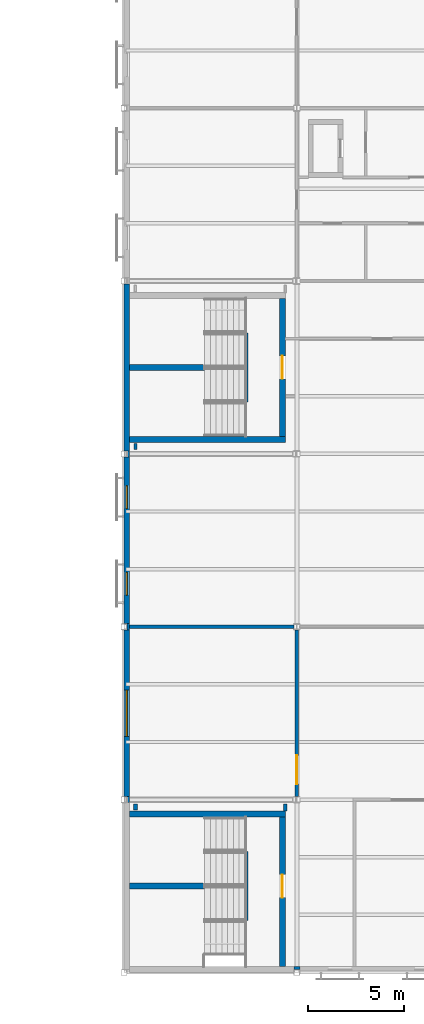
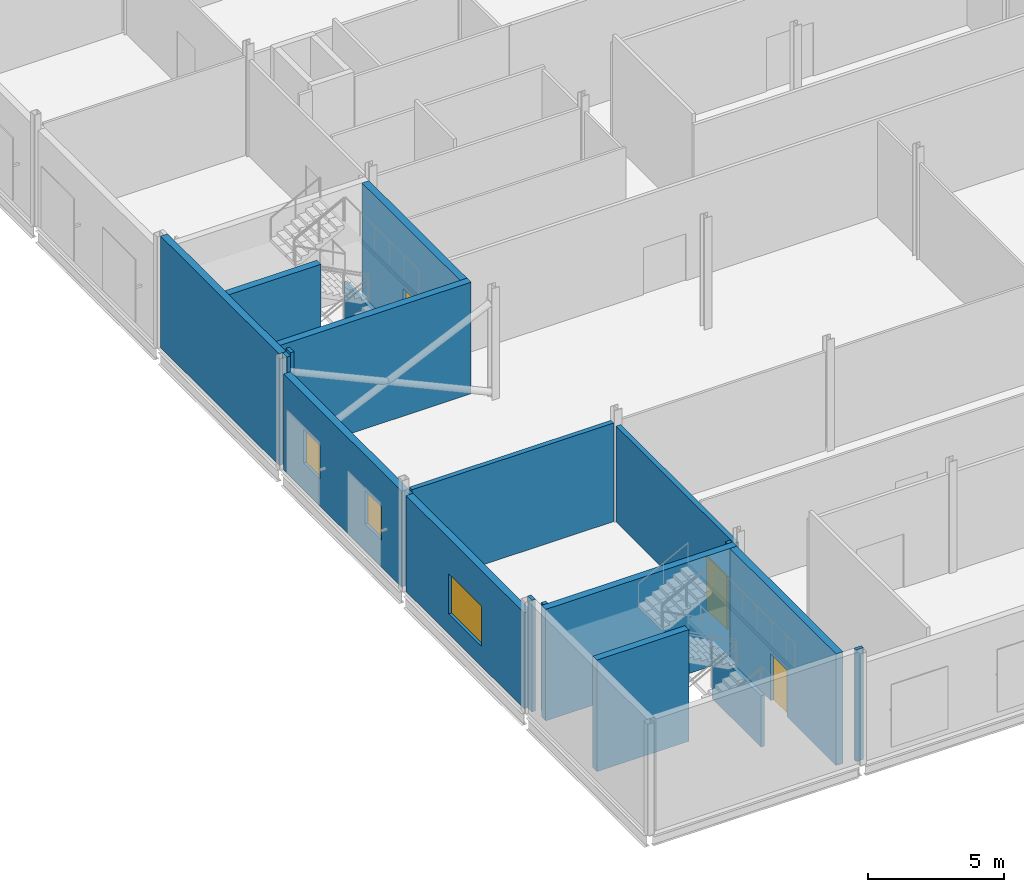
# One storey, part 75 of 112: 20 walls, 3 doors, 3 windows, 6 openings.
"""IFC4 building model written with IfcOpenShell, lengths in metres."""

from ifc_helpers import new_model, si_unit, direction, frame, frame_2d, origin, place, context, subcontext, project, spatial, rectangle, extrude, material, layer, layer_set, type_object, element, fill, save


model = new_model("IFC4")

# Units and contexts
model_context = context("Model", 3, precision=1e-05, world=origin(), true_north=direction((0.0, 1.0)))
body_context = subcontext(model_context, "Body", "Model", "MODEL_VIEW")
ifc_project = project(units=[si_unit("LENGTHUNIT", "METRE"), si_unit("AREAUNIT", "SQUARE_METRE"), si_unit("VOLUMEUNIT", "CUBIC_METRE"), si_unit("PLANEANGLEUNIT", "RADIAN"), si_unit("MASSUNIT", "GRAM", prefix="KILO")], contexts=[model_context])

# Site, building, storey
site_placement = place(None, origin())
site = spatial("IfcSite", under=ifc_project, at=site_placement, CompositionType="ELEMENT")
building_placement = place(site_placement, origin())
building = spatial("IfcBuilding", under=site, at=building_placement, Name="Shorebreak Coast Museum", CompositionType="ELEMENT")
storey_placement = place(building_placement, frame((0.0, 0.0, 6.0)))
storey = spatial("IfcBuildingStorey", under=building, at=storey_placement, Name="L01", CompositionType="ELEMENT", Elevation=6.0)

# Walls
ifc_material_1 = material(Name="Concrete N50 (50 MPa)", Category="concrete")
ifc_layer_1 = layer(ifc_material_1, 0.14990234375)
ifc_layer_set_1 = layer_set([ifc_layer_1], Name="Concrete N50 (50 MPa)")
wall_type_1 = type_object("IfcWallType", Name="Column closure panel 150", PredefinedType="SOLIDWALL", material=ifc_layer_set_1)
for number, where, z_axis, x_axis, name in (
    (1, (62.85009765625, 0.22509765625, 0.0), (0.0, 0.0, 1.0), (1.0, 0.0, 0.0), "Column closure panel L01 S 8A"),
    (2, (54.22509765625, 8.85009765625, 0.0), (0.0, 0.0, 1.0), (0.0, 1.0, 0.0), "Column closure panel L01 W 7B"),
):
    element("IfcWall", number, at=place(storey_placement, frame(where, z_axis=z_axis, x_axis=x_axis)), inside=storey, type_object=wall_type_1, Name=name, PredefinedType="SOLIDWALL", context=body_context, shape_type="SweptSolid", body=[
        extrude(rectangle(XDim=0.322021484375, YDim=0.14990234375, at=frame_2d((0.1611328125, 0.0))), origin(), (0.0, 0.0, 1.0), 5.0),
    ])
wall_1_placement = place(storey_placement, frame((54.22509765625, 17.839111328125, 0.0), z_axis=(0.0, 0.0, 1.0), x_axis=(0.0, 1.0, 0.0)))
element("IfcWall", 3, at=wall_1_placement, inside=storey, type_object=wall_type_1, Name="Column closure panel L01 W 7C", PredefinedType="SOLIDWALL", context=body_context, shape_type="SweptSolid", body=[
    extrude(rectangle(XDim=0.32177734375, YDim=0.14990234375, at=frame_2d((0.160888671875, 0.0))), origin(), (0.0, 0.0, 1.0), 4.296875),
])
wall_2_placement = place(storey_placement, frame((54.22509765625, 26.827880859375, 0.0), z_axis=(0.0, 0.0, 1.0), x_axis=(0.0, 1.0, 0.0)))
element("IfcWall", 4, at=wall_2_placement, inside=storey, type_object=wall_type_1, Name="Column closure panel L01 W 7D", PredefinedType="SOLIDWALL", context=body_context, shape_type="SweptSolid", body=[
    extrude(rectangle(XDim=0.322021484375, YDim=0.14990234375, at=frame_2d((0.1611328125, 0.0))), origin(), (0.0, 0.0, 1.0), 5.0),
])
ifc_material_2 = material(Name="Plasterboard on steel stud", Category="steel")
ifc_layer_2 = layer(ifc_material_2, 0.14990234375)
ifc_layer_set_2 = layer_set([ifc_layer_2], Name="Plasterboard on steel stud")
wall_type_2 = type_object("IfcWallType", Name="Fire partition 150", PredefinedType="PARTITIONING", material=ifc_layer_set_2)
wall_3_placement = place(storey_placement, frame((54.60009765625, 27.219970703125, 0.0), z_axis=(0.0, 0.0, 1.0), x_axis=(0.0, 1.0, 0.0)))
element("IfcWall", 5, at=wall_3_placement, inside=storey, type_object=wall_type_2, Name="Partition L01-099", PredefinedType="PARTITIONING", context=body_context, shape_type="SweptSolid", body=[
    extrude(rectangle(XDim=0.330078125, YDim=0.14990234375, at=frame_2d((0.1650390625, 0.0))), origin(), (0.0, 0.0, 1.0), 4.824951171875),
])
ifc_material_3 = material(Name="Concrete masonry", Category="masonry")
ifc_layer_3 = layer(ifc_material_3, 0.199951171875)
ifc_layer_set_3 = layer_set([ifc_layer_3], Name="Concrete masonry")
wall_type_3 = type_object("IfcWallType", Name="Fire wall 200", PredefinedType="PARTITIONING", material=ifc_layer_set_3)
wall_4_placement = place(storey_placement, frame((54.300048828125, 18.0, 0.0), z_axis=(0.0, 0.0, 1.0), x_axis=(1.0, 0.0, 0.0)))
element("IfcWall", 6, at=wall_4_placement, inside=storey, type_object=wall_type_3, Name="Partition L01-007", PredefinedType="PARTITIONING", context=body_context, shape_type="SweptSolid", body=[
    extrude(rectangle(XDim=8.54541015625, YDim=0.199951171875, at=frame_2d((4.272705078125, 0.0))), origin(), (0.0, 0.0, 1.0), 4.418701171875),
])
wall_5_placement = place(storey_placement, frame((54.60009765625, 8.449951171875, 0.0), z_axis=(0.0, 0.0, 1.0), x_axis=(0.0, 1.0, 0.0)))
element("IfcWall", 7, at=wall_5_placement, inside=storey, type_object=wall_type_3, Name="Partition L01-098", PredefinedType="PARTITIONING", context=body_context, shape_type="SweptSolid", body=[
    extrude(rectangle(XDim=0.330078125, YDim=0.199951171875, at=frame_2d((0.1650390625, 0.0))), origin(), (0.0, 0.0, 1.0), 4.824951171875),
])
wall_6_placement = place(storey_placement, frame((62.39990234375, 8.39990234375, 0.0), z_axis=(0.0, 0.0, 1.0), x_axis=(0.0, 1.0, 0.0)))
element("IfcWall", 8, at=wall_6_placement, inside=storey, type_object=wall_type_3, Name="Partition L01-111", PredefinedType="PARTITIONING", context=body_context, shape_type="SweptSolid", body=[
    extrude(rectangle(XDim=0.380126953125, YDim=0.199951171875, at=frame_2d((0.18994140625, 0.0))), origin(), (0.0, 0.0, 1.0), 4.824951171875),
])

# Wall, opening, door
wall_7_placement = place(storey_placement, frame((63.0, 9.160400390625, 0.0), z_axis=(0.0, 0.0, 1.0), x_axis=(0.0, 1.0, 0.0)))
wall_7 = element("IfcWall", 9, at=wall_7_placement, inside=storey, type_object=wall_type_3, Name="Partition L01-113", PredefinedType="PARTITIONING", context=body_context, shape_type="SweptSolid", body=[
    extrude(rectangle(XDim=8.67919921875, YDim=0.199951171875, at=frame_2d((4.339599609375, 0.0))), origin(), (0.0, 0.0, 1.0), 4.296875),
])
opening_1_placement = place(wall_7_placement, frame((0.64990234375, 0.0, 0.0)))
opening_1 = element("IfcOpeningElement", 10, at=opening_1_placement, cuts=wall_7, Name="Opening D1022", PredefinedType="OPENING", context=body_context, shape_type="SweptSolid", body=[
    extrude(rectangle(XDim=1.5, YDim=2.39990234375, at=frame_2d((0.75, 1.199951171875))), frame((0.0, 0.10986328125, 0.0), z_axis=(0.0, -1.0, 0.0), x_axis=(1.0, 0.0, 0.0)), (0.0, 0.0, 1.0), 0.219970703125),
])
ifc_material_4 = material(Name="Steel", Category="steel")
door_type_1 = type_object("IfcDoorType", Name="Fire door 1500x2400 120", OperationType="DOUBLE_DOOR_SINGLE_SWING", PredefinedType="DOOR", material=ifc_material_4)
door_1_placement = place(opening_1_placement, origin())
door_1 = element("IfcDoor", 11, at=door_1_placement, inside=storey, type_object=door_type_1, Name="Door D1022 Plant Room 1.01", OperationType="DOUBLE_DOOR_SINGLE_SWING", OverallHeight=2.39990234375, OverallWidth=1.5, PredefinedType="DOOR", context=body_context, shape_type="SweptSolid", body=[
    extrude(rectangle(XDim=1.5, YDim=2.39990234375, at=frame_2d((0.75, 1.199951171875))), frame((0.0, 0.02490234375, 0.0), z_axis=(0.0, -1.0, 0.0), x_axis=(1.0, 0.0, 0.0)), (0.0, 0.0, 1.0), 0.050048828125),
])
fill(opening_1, door_1)

# Wall, opening, window
ifc_material_5 = material(Name="Concrete N50 (50 MPa)", Category="concrete")
ifc_layer_4 = layer(ifc_material_5, 0.300048828125)
ifc_layer_set_4 = layer_set([ifc_layer_4], Name="Concrete N50 (50 MPa)")
wall_type_4 = type_object("IfcWallType", Name="Plant wall 300 rated", PredefinedType="SOLIDWALL", material=ifc_layer_set_4)
wall_8_placement = place(storey_placement, frame((54.14990234375, 9.172119140625, 0.0), z_axis=(0.0, 0.0, 1.0), x_axis=(0.0, 1.0, 0.0)))
wall_8 = element("IfcWall", 12, at=wall_8_placement, inside=storey, type_object=wall_type_4, Name="External wall L01 W 7B", PredefinedType="SOLIDWALL", context=body_context, shape_type="SweptSolid", body=[
    extrude(rectangle(XDim=8.6669921875, YDim=0.300048828125, at=frame_2d((4.33349609375, 0.0))), origin(), (0.0, 0.0, 1.0), 4.296875),
])
opening_2_placement = place(wall_8_placement, frame((3.1279296875, 0.0, 0.89990234375)))
opening_2 = element("IfcOpeningElement", 13, at=opening_2_placement, cuts=wall_8, Name="Opening WN1045", PredefinedType="OPENING", context=body_context, shape_type="SweptSolid", body=[
    extrude(rectangle(XDim=2.39990234375, YDim=1.800048828125, at=frame_2d((1.199951171875, 0.89990234375))), frame((0.0, 0.159912109375, 0.0), z_axis=(0.0, -1.0, 0.0), x_axis=(1.0, 0.0, 0.0)), (0.0, 0.0, 1.0), 0.320068359375),
])
ifc_material_6 = material(Name="Aluminium", Category="aluminium")
window_type_1 = type_object("IfcWindowType", Name="Plant louvre 2400 x 1800", PartitioningType="TRIPLE_PANEL_VERTICAL", PredefinedType="WINDOW", material=ifc_material_6)
window_1_placement = place(opening_2_placement, origin())
window_1 = element("IfcWindow", 14, at=window_1_placement, inside=storey, type_object=window_type_1, Name="Louvre WN1045", OverallHeight=1.800048828125, OverallWidth=2.39990234375, PartitioningType="TRIPLE_PANEL_VERTICAL", PredefinedType="WINDOW", context=body_context, shape_type="SweptSolid", body=[
    extrude(rectangle(XDim=2.39990234375, YDim=1.800048828125, at=frame_2d((1.199951171875, 0.89990234375))), frame((0.0, 0.030029296875, 0.0), z_axis=(0.0, -1.0, 0.0), x_axis=(1.0, 0.0, 0.0)), (0.0, 0.0, 1.0), 0.06005859375),
])
fill(opening_2, window_1)

# Wall
ifc_material_7 = material(Name="Concrete N50 (50 MPa)", Category="concrete")
ifc_layer_5 = layer(ifc_material_7, 0.300048828125)
ifc_layer_set_5 = layer_set([ifc_layer_5], Name="Concrete N50 (50 MPa)")
wall_type_5 = type_object("IfcWallType", Name="RC wall 300", PredefinedType="SHEAR", material=ifc_layer_set_5)
wall_9_placement = place(storey_placement, frame((54.300048828125, 8.25, 0.0), z_axis=(0.0, 0.0, 1.0), x_axis=(1.0, 0.0, 0.0)))
element("IfcWall", 15, at=wall_9_placement, inside=storey, type_object=wall_type_5, Name="Stair core wall ST11 L01 N", PredefinedType="SHEAR", context=body_context, shape_type="SweptSolid", body=[
    extrude(rectangle(XDim=8.099853515625, YDim=0.300048828125, at=frame_2d((4.0498046875, 0.0))), origin(), (0.0, 0.0, 1.0), 5.0),
])

# Wall, opening, door
wall_10_placement = place(storey_placement, frame((62.25, 0.300048828125, 0.0), z_axis=(0.0, 0.0, 1.0), x_axis=(0.0, 1.0, 0.0)))
wall_10 = element("IfcWall", 16, at=wall_10_placement, inside=storey, type_object=wall_type_5, Name="Stair core wall ST11 L01 E", PredefinedType="SHEAR", context=body_context, shape_type="SweptSolid", body=[
    extrude(rectangle(XDim=7.800048828125, YDim=0.300048828125, at=frame_2d((3.89990234375, 0.0))), origin(), (0.0, 0.0, 1.0), 5.0),
])
opening_3_placement = place(wall_10_placement, frame((3.60009765625, 0.0, 0.0)))
opening_3 = element("IfcOpeningElement", 17, at=opening_3_placement, cuts=wall_10, Name="Opening D1811", PredefinedType="OPENING", context=body_context, shape_type="SweptSolid", body=[
    extrude(rectangle(XDim=1.199951171875, YDim=2.10009765625, at=frame_2d((0.60009765625, 1.050048828125))), frame((0.0, 0.159912109375, 0.0), z_axis=(0.0, -1.0, 0.0), x_axis=(1.0, 0.0, 0.0)), (0.0, 0.0, 1.0), 0.320068359375),
])
ifc_material_8 = material(Name="Steel Grade 300", Category="steel")
door_type_2 = type_object("IfcDoorType", Name="Fire door 1200x2100", OperationType="SINGLE_SWING_LEFT", PredefinedType="DOOR", material=ifc_material_8)
door_2_placement = place(opening_3_placement, origin())
door_2 = element("IfcDoor", 18, at=door_2_placement, inside=storey, type_object=door_type_2, Name="Stair door ST11 L01", OperationType="SINGLE_SWING_LEFT", OverallHeight=2.10009765625, OverallWidth=1.199951171875, PredefinedType="DOOR", context=body_context, shape_type="SweptSolid", body=[
    extrude(rectangle(XDim=1.199951171875, YDim=2.10009765625, at=frame_2d((0.60009765625, 1.050048828125))), frame((0.0, 0.02490234375, 0.0), z_axis=(0.0, -1.0, 0.0), x_axis=(1.0, 0.0, 0.0)), (0.0, 0.0, 1.0), 0.050048828125),
])
fill(opening_3, door_2)

# Walls
wall_11_placement = place(storey_placement, frame((54.300048828125, 27.75, 0.0), z_axis=(0.0, 0.0, 1.0), x_axis=(1.0, 0.0, 0.0)))
element("IfcWall", 19, at=wall_11_placement, inside=storey, type_object=wall_type_5, Name="Stair core wall ST13 L01 S", PredefinedType="SHEAR", context=body_context, shape_type="SweptSolid", body=[
    extrude(rectangle(XDim=8.099853515625, YDim=0.300048828125, at=frame_2d((4.0498046875, 0.0))), origin(), (0.0, 0.0, 1.0), 5.0),
])
wall_12_placement = place(storey_placement, frame((54.14990234375, 27.14990234375, 0.0), z_axis=(0.0, 0.0, 1.0), x_axis=(0.0, 1.0, 0.0)))
element("IfcWall", 20, at=wall_12_placement, inside=storey, type_object=wall_type_5, Name="Stair core wall ST13 L01 W", PredefinedType="SHEAR", context=body_context, shape_type="SweptSolid", body=[
    extrude(rectangle(XDim=8.7001953125, YDim=0.300048828125, at=frame_2d((4.35009765625, 0.0))), origin(), (0.0, 0.0, 1.0), 5.0),
])

# Wall, opening, door
wall_13_placement = place(storey_placement, frame((62.25, 27.89990234375, 0.0), z_axis=(0.0, 0.0, 1.0), x_axis=(0.0, 1.0, 0.0)))
wall_13 = element("IfcWall", 21, at=wall_13_placement, inside=storey, type_object=wall_type_5, Name="Stair core wall ST13 L01 E", PredefinedType="SHEAR", context=body_context, shape_type="SweptSolid", body=[
    extrude(rectangle(XDim=7.2001953125, YDim=0.300048828125, at=frame_2d((3.60009765625, 0.0))), origin(), (0.0, 0.0, 1.0), 5.0),
])
opening_4_placement = place(wall_13_placement, frame((3.0, 0.0, 0.0)))
opening_4 = element("IfcOpeningElement", 22, at=opening_4_placement, cuts=wall_13, Name="Opening D1813", PredefinedType="OPENING", context=body_context, shape_type="SweptSolid", body=[
    extrude(rectangle(XDim=1.199951171875, YDim=2.10009765625, at=frame_2d((0.60009765625, 1.050048828125))), frame((0.0, 0.159912109375, 0.0), z_axis=(0.0, -1.0, 0.0), x_axis=(1.0, 0.0, 0.0)), (0.0, 0.0, 1.0), 0.320068359375),
])
door_3_placement = place(opening_4_placement, origin())
door_3 = element("IfcDoor", 23, at=door_3_placement, inside=storey, type_object=door_type_2, Name="Stair door ST13 L01", OperationType="SINGLE_SWING_LEFT", OverallHeight=2.10009765625, OverallWidth=1.199951171875, PredefinedType="DOOR", context=body_context, shape_type="SweptSolid", body=[
    extrude(rectangle(XDim=1.199951171875, YDim=2.10009765625, at=frame_2d((0.60009765625, 1.050048828125))), frame((0.0, 0.02490234375, 0.0), z_axis=(0.0, -1.0, 0.0), x_axis=(1.0, 0.0, 0.0)), (0.0, 0.0, 1.0), 0.050048828125),
])
fill(opening_4, door_3)

# Walls
for number, where, z_axis, x_axis, name in (
    (24, (58.199951171875, 4.5, 0.0), (0.0, 0.0, 1.0), (-1.0, 0.0, 0.0), "Stair spine wall ST11 L01"),
    (25, (58.199951171875, 31.5, 0.0), (0.0, 0.0, 1.0), (-1.0, 0.0, 0.0), "Stair spine wall ST13 L01"),
):
    element("IfcWall", number, at=place(storey_placement, frame(where, z_axis=z_axis, x_axis=x_axis)), inside=storey, type_object=wall_type_5, Name=name, PredefinedType="SHEAR", context=body_context, shape_type="SweptSolid", body=[
        extrude(rectangle(XDim=3.89990234375, YDim=0.300048828125, at=frame_2d((1.949951171875, 0.0))), origin(), (0.0, 0.0, 1.0), 5.0),
    ])

# Wall, openings, windows
ifc_material_9 = material(Name="Concrete N50 (50 MPa)", Category="concrete")
ifc_layer_6 = layer(ifc_material_9, 0.300048828125)
ifc_layer_set_6 = layer_set([ifc_layer_6], Name="Concrete N50 (50 MPa)")
wall_type_6 = type_object("IfcWallType", Name="Sand-coloured precast panel 300", PredefinedType="SOLIDWALL", material=ifc_layer_set_6)
wall_14_placement = place(storey_placement, frame((54.14990234375, 18.160888671875, 0.0), z_axis=(0.0, 0.0, 1.0), x_axis=(0.0, 1.0, 0.0)))
wall_14 = element("IfcWall", 26, at=wall_14_placement, inside=storey, type_object=wall_type_6, Name="External wall L01 W 7C", PredefinedType="SOLIDWALL", context=body_context, shape_type="SweptSolid", body=[
    extrude(rectangle(XDim=8.6669921875, YDim=0.300048828125, at=frame_2d((4.33349609375, 0.0))), origin(), (0.0, 0.0, 1.0), 4.296875),
])
opening_5_placement = place(wall_14_placement, frame((1.489013671875, 0.0, 1.199951171875)))
opening_5 = element("IfcOpeningElement", 27, at=opening_5_placement, cuts=wall_14, Name="Opening WN1046", PredefinedType="OPENING", context=body_context, shape_type="SweptSolid", body=[
    extrude(rectangle(XDim=1.199951171875, YDim=1.5, at=frame_2d((0.60009765625, 0.75))), frame((0.0, 0.159912109375, 0.0), z_axis=(0.0, -1.0, 0.0), x_axis=(1.0, 0.0, 0.0)), (0.0, 0.0, 1.0), 0.320068359375),
])
opening_6_placement = place(wall_14_placement, frame((5.989013671875, 0.0, 1.199951171875)))
opening_6 = element("IfcOpeningElement", 28, at=opening_6_placement, cuts=wall_14, Name="Opening WN1047", PredefinedType="OPENING", context=body_context, shape_type="SweptSolid", body=[
    extrude(rectangle(XDim=1.199951171875, YDim=1.5, at=frame_2d((0.60009765625, 0.75))), frame((0.0, 0.159912109375, 0.0), z_axis=(0.0, -1.0, 0.0), x_axis=(1.0, 0.0, 0.0)), (0.0, 0.0, 1.0), 0.320068359375),
])
ifc_material_10 = material(Name="Aluminium", Category="aluminium")
window_type_2 = type_object("IfcWindowType", Name="Punched window 1200 x 1500", PartitioningType="SINGLE_PANEL", PredefinedType="WINDOW", material=ifc_material_10)
window_2_placement = place(opening_5_placement, origin())
window_2 = element("IfcWindow", 29, at=window_2_placement, inside=storey, type_object=window_type_2, Name="Window WN1046", OverallHeight=1.5, OverallWidth=1.199951171875, PartitioningType="SINGLE_PANEL", PredefinedType="WINDOW", context=body_context, shape_type="SweptSolid", body=[
    extrude(rectangle(XDim=1.199951171875, YDim=1.5, at=frame_2d((0.60009765625, 0.75))), frame((0.0, 0.030029296875, 0.0), z_axis=(0.0, -1.0, 0.0), x_axis=(1.0, 0.0, 0.0)), (0.0, 0.0, 1.0), 0.06005859375),
])
fill(opening_5, window_2)
window_3_placement = place(opening_6_placement, origin())
window_3 = element("IfcWindow", 30, at=window_3_placement, inside=storey, type_object=window_type_2, Name="Window WN1047", OverallHeight=1.5, OverallWidth=1.199951171875, PartitioningType="SINGLE_PANEL", PredefinedType="WINDOW", context=body_context, shape_type="SweptSolid", body=[
    extrude(rectangle(XDim=1.199951171875, YDim=1.5, at=frame_2d((0.60009765625, 0.75))), frame((0.0, 0.030029296875, 0.0), z_axis=(0.0, -1.0, 0.0), x_axis=(1.0, 0.0, 0.0)), (0.0, 0.0, 1.0), 0.06005859375),
])
fill(opening_6, window_3)

# Walls
ifc_material_11 = material(Name="Concrete N50 (50 MPa)", Category="concrete")
ifc_layer_7 = layer(ifc_material_11, 0.14990234375)
ifc_layer_set_7 = layer_set([ifc_layer_7], Name="Concrete N50 (50 MPa)")
wall_type_7 = type_object("IfcWallType", Name="Understair wall 150", PredefinedType="STANDARD", material=ifc_layer_set_7)
for number, where, z_axis, x_axis, name in (
    (31, (60.375, 2.699951171875, 0.0), (0.0, 0.0, 1.0), (0.0, 1.0, 0.0), "Understair wall ST11 L01 floor"),
    (32, (60.375, 29.699951171875, 0.0), (0.0, 0.0, 1.0), (0.0, 1.0, 0.0), "Understair wall ST13 L01 floor"),
):
    element("IfcWall", number, at=place(storey_placement, frame(where, z_axis=z_axis, x_axis=x_axis)), inside=storey, type_object=wall_type_7, Name=name, PredefinedType="STANDARD", context=body_context, shape_type="SweptSolid", body=[
        extrude(rectangle(XDim=3.60009765625, YDim=0.14990234375, at=frame_2d((1.800048828125, 0.0))), origin(), (0.0, 0.0, 1.0), 2.300048828125),
    ])

save(model, "model.ifc")
